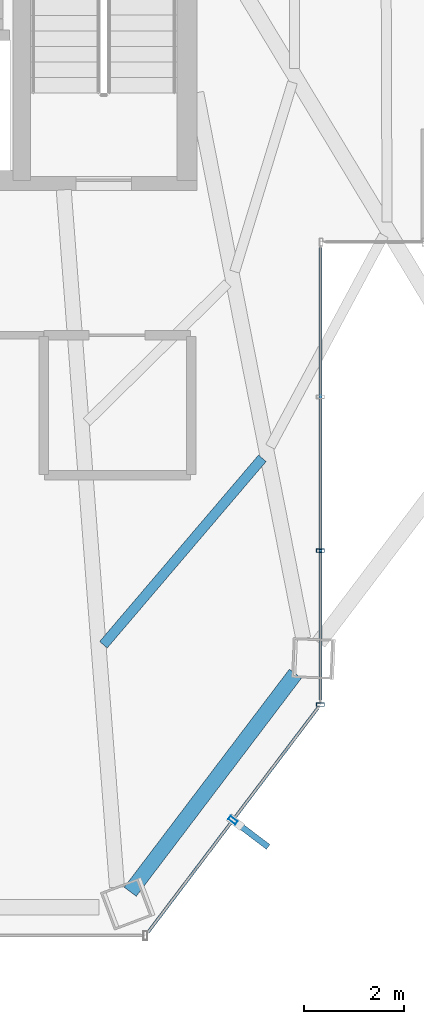
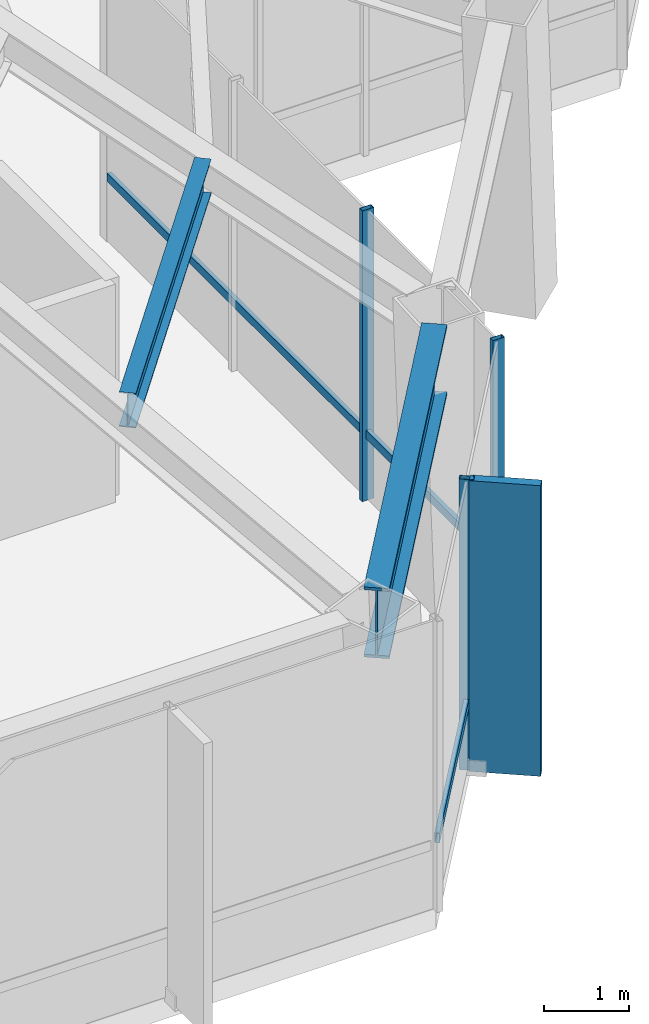
# One storey, part 15 of 25: 6 members, 2 beams, 2 elements without a shape of their own.
"""IFC4 building model written with IfcOpenShell, lengths in metres."""

from ifc_helpers import new_model, si_unit, direction, frame, origin, origin_2d, place, context, subcontext, project, spatial, rectangle, hollow_rectangle, i_section, extrude, material, layer, layer_set, material_profile, profile_set, type_object, element, aggregate, save


model = new_model("IFC4")

# Units and contexts
model_context = context("Model", 3, precision=1e-05, world=origin(), true_north=direction((0.0, 1.0)))
body_context = subcontext(model_context, "Body", "Model", "MODEL_VIEW")
ifc_project = project(units=[si_unit("LENGTHUNIT", "METRE"), si_unit("AREAUNIT", "SQUARE_METRE"), si_unit("VOLUMEUNIT", "CUBIC_METRE"), si_unit("PLANEANGLEUNIT", "RADIAN"), si_unit("MASSUNIT", "GRAM", prefix="KILO")], contexts=[model_context])

# Site, building, storey
site_placement = place(None, origin())
site = spatial("IfcSite", under=ifc_project, at=site_placement, CompositionType="ELEMENT")
building_placement = place(site_placement, origin())
building = spatial("IfcBuilding", under=site, at=building_placement, Name="Zarrinselat Tower", CompositionType="ELEMENT")
storey_placement = place(building_placement, frame((0.0, 0.0, 119.0)))
storey = spatial("IfcBuildingStorey", under=building, at=storey_placement, Name="L28", CompositionType="ELEMENT", Elevation=119.0)

# Beams
ifc_material_1 = material(Name="Steel S460M", Category="steel")
ifc_material_profile_1 = material_profile(ifc_material_1, i_section(OverallWidth=0.302001953125, OverallDepth=1.008056640625, WebThickness=0.02099609375, FlangeThickness=0.0400390625, at=origin_2d()), Name="HEM 1000")
ifc_profile_set_1 = profile_set([ifc_material_profile_1], Name="Steel S460M")
beam_type_1 = type_object("IfcBeamType", Name="BM-HEM1000", PredefinedType="BEAM", material=ifc_profile_set_1)
beam_1_placement = place(storey_placement, frame((47.129150390625, 19.025634765625, 3.676025390625), z_axis=(0.603856828579, 0.797092799226, 0.0), x_axis=(-0.797092799226, 0.603856828579, 0.0)))
element("IfcBeam", 1, at=beam_1_placement, inside=storey, type_object=beam_type_1, Name="L28 Perimeter Spandrel Girder SP11", PredefinedType="BEAM", context=body_context, shape_type="SweptSolid", body=[
    extrude(i_section(OverallWidth=0.302001953125, OverallDepth=1.008056640625, WebThickness=0.02099609375, FlangeThickness=0.0400390625, at=origin_2d()), origin(), (0.0, 0.0, 1.0), 5.469482421875),
])
ifc_material_2 = material(Name="Steel S355J2", Category="steel")
ifc_material_profile_2 = material_profile(ifc_material_2, i_section(OverallWidth=0.199951171875, OverallDepth=0.5, WebThickness=0.01025390625, FlangeThickness=0.01611328125, at=origin_2d()), Name="IPE 500")
ifc_profile_set_2 = profile_set([ifc_material_profile_2], Name="Steel S355J2")
beam_type_2 = type_object("IfcBeamType", Name="BM-IPE500", PredefinedType="JOIST", material=ifc_profile_set_2)
beam_2_placement = place(storey_placement, frame((46.59326171875, 23.964111328125, 3.929931640625), z_axis=(0.648679287619, 0.761061877783, 0.0), x_axis=(-0.761061877783, 0.648679287619, 0.0)))
element("IfcBeam", 2, at=beam_2_placement, inside=storey, type_object=beam_type_2, Name="L28 Composite Floor Joist 3-1", PredefinedType="JOIST", context=body_context, shape_type="SweptSolid", body=[
    extrude(i_section(OverallWidth=0.199951171875, OverallDepth=0.5, WebThickness=0.01025390625, FlangeThickness=0.01611328125, at=origin_2d()), origin(), (0.0, 0.0, 1.0), 4.898681640625),
])

# Curtain wall, member
ifc_material_3 = material(Name="Extruded Aluminium Alloy EN AW-6063 T6", Category="aluminium")
ifc_layer_1 = layer(ifc_material_3, 0.195068359375)
ifc_layer_set_1 = layer_set([ifc_layer_1], Name="Extruded Aluminium Alloy EN AW-6063 T6")
curtain_wall_type_1 = type_object("IfcCurtainWallType", Name="CWS-GDN", PredefinedType="NOTDEFINED", material=ifc_layer_set_1)
curtain_wall_1_placement = place(storey_placement, origin())
curtain_wall_1 = element("IfcCurtainWall", 3, at=curtain_wall_1_placement, inside=storey, type_object=curtain_wall_type_1, Name="L28 Unitised Curtain Wall CW-L28-E25", PredefinedType="NOTDEFINED")
ifc_material_4 = material(Name="Extruded Aluminium Alloy EN AW-6063 T6", Category="aluminium")
ifc_material_profile_3 = material_profile(ifc_material_4, hollow_rectangle(XDim=0.080078125, YDim=0.179931640625, WallThickness=0.0048828125, at=origin_2d()), Name="RHS 180x80x5")
ifc_profile_set_3 = profile_set([ifc_material_profile_3], Name="Extruded Aluminium Alloy EN AW-6063 T6")
member_type_1 = type_object("IfcMemberType", Name="MEM-CW-MUL", PredefinedType="MULLION", material=ifc_profile_set_3)
member_1_placement = place(storey_placement, frame((49.181884765625, 20.45654296875, 0.0), z_axis=(0.0, 0.0, 1.0), x_axis=(-0.60386042105, -0.79709007765, 0.0)))
member_1 = element("IfcMember", 4, at=member_1_placement, type_object=member_type_1, Name="CW-L28-E25 Mullion 1", PredefinedType="MULLION", context=body_context, shape_type="SweptSolid", body=[
    extrude(hollow_rectangle(XDim=0.080078125, YDim=0.179931640625, WallThickness=0.0048828125, at=origin_2d()), origin(), (0.0, 0.0, 1.0), 4.179931640625),
])

# Curtain wall, members
ifc_material_5 = material(Name="Extruded Aluminium Alloy EN AW-6063 T6", Category="aluminium")
ifc_layer_2 = layer(ifc_material_5, 0.18994140625)
ifc_layer_set_2 = layer_set([ifc_layer_2], Name="Extruded Aluminium Alloy EN AW-6063 T6")
curtain_wall_type_2 = type_object("IfcCurtainWallType", Name="CWS-SG", PredefinedType="NOTDEFINED", material=ifc_layer_set_2)
curtain_wall_2_placement = place(storey_placement, origin())
curtain_wall_2 = element("IfcCurtainWall", 5, at=curtain_wall_2_placement, inside=storey, type_object=curtain_wall_type_2, Name="L28 Unitised Curtain Wall CW-L28-E24", PredefinedType="NOTDEFINED")
ifc_material_6 = material(Name="Extruded Aluminium Alloy EN AW-6063 T6", Category="aluminium")
ifc_material_profile_4 = material_profile(ifc_material_6, hollow_rectangle(XDim=0.070068359375, YDim=0.159912109375, WallThickness=0.00390625, at=origin_2d()), Name="RHS 160x70x4")
ifc_profile_set_4 = profile_set([ifc_material_profile_4], Name="Extruded Aluminium Alloy EN AW-6063 T6")
member_type_2 = type_object("IfcMemberType", Name="MEM-CW-MUL2", PredefinedType="MULLION", material=ifc_profile_set_4)
member_2_placement = place(storey_placement, frame((50.931396484375, 25.843994140625, 0.0), z_axis=(0.0, 0.0, 1.0), x_axis=(0.0, -1.0, 0.0)))
member_2 = element("IfcMember", 6, at=member_2_placement, type_object=member_type_2, Name="CW-L28-E24 Mullion 2", PredefinedType="MULLION", context=body_context, shape_type="SweptSolid", body=[
    extrude(hollow_rectangle(XDim=0.070068359375, YDim=0.159912109375, WallThickness=0.00390625, at=origin_2d()), origin(), (0.0, 0.0, 1.0), 4.179931640625),
])
member_3_placement = place(storey_placement, frame((50.931396484375, 22.76611328125, 0.0), z_axis=(0.0, 0.0, 1.0), x_axis=(0.0, -1.0, 0.0)))
member_3 = element("IfcMember", 7, at=member_3_placement, type_object=member_type_2, Name="CW-L28-E24 Mullion 3", PredefinedType="MULLION", context=body_context, shape_type="SweptSolid", body=[
    extrude(hollow_rectangle(XDim=0.070068359375, YDim=0.159912109375, WallThickness=0.00390625, at=origin_2d()), origin(), (0.0, 0.0, 1.0), 4.179931640625),
])

# Member
ifc_material_7 = material(Name="Extruded Aluminium Alloy EN AW-6063 T6", Category="aluminium")
ifc_material_profile_5 = material_profile(ifc_material_7, hollow_rectangle(XDim=0.06005859375, YDim=0.139892578125, WallThickness=0.00390625, at=origin_2d()), Name="RHS 140x60x4")
ifc_profile_set_5 = profile_set([ifc_material_profile_5], Name="Extruded Aluminium Alloy EN AW-6063 T6")
member_type_3 = type_object("IfcMemberType", Name="MEM-CW-TRN", PredefinedType="USERDEFINED", material=ifc_profile_set_5)
member_4_placement = place(storey_placement, frame((50.877197265625, 22.6943359375, 0.949951171875), z_axis=(-0.603861036568, -0.797089611345, 0.0), x_axis=(0.797089611345, -0.603861036568, 0.0)))
member_4 = element("IfcMember", 8, at=member_4_placement, type_object=member_type_3, Name="CW-L28-E25 Transom 1", ObjectType="TRANSOM", PredefinedType="USERDEFINED", context=body_context, shape_type="SweptSolid", body=[
    extrude(hollow_rectangle(XDim=0.06005859375, YDim=0.139892578125, WallThickness=0.00390625, at=origin_2d()), origin(), (0.0, 0.0, 1.0), 5.614990234375),
])

ifc_material_8 = material(Name="Extruded Aluminium Alloy EN AW-6063 T6", Category="aluminium")
ifc_material_profile_6 = material_profile(ifc_material_8, hollow_rectangle(XDim=0.06005859375, YDim=0.1201171875, WallThickness=0.00390625, at=origin_2d()), Name="RHS 120x60x4")
ifc_profile_set_6 = profile_set([ifc_material_profile_6], Name="Extruded Aluminium Alloy EN AW-6063 T6")
member_type_4 = type_object("IfcMemberType", Name="MEM-CW-TRN2", PredefinedType="USERDEFINED", material=ifc_profile_set_6)
member_5_placement = place(storey_placement, frame((50.931396484375, 31.909912109375, 0.949951171875), z_axis=(0.0, -1.0, 0.0), x_axis=(1.0, 0.0, 0.0)))
member_5 = element("IfcMember", 9, at=member_5_placement, type_object=member_type_4, Name="CW-L28-E24 Transom 1", ObjectType="TRANSOM", PredefinedType="USERDEFINED", context=body_context, shape_type="SweptSolid", body=[
    extrude(hollow_rectangle(XDim=0.06005859375, YDim=0.1201171875, WallThickness=0.00390625, at=origin_2d()), origin(), (0.0, 0.0, 1.0), 9.053955078125),
])

aggregate(curtain_wall_2, [member_2, member_3, member_5])

ifc_material_9 = material(Name="Honed Cream Travertine Stone", Category="masonry")
ifc_material_profile_7 = material_profile(ifc_material_9, rectangle(XDim=0.1201171875, YDim=0.85009765625, at=origin_2d()), Name="FIN 850x120")
ifc_profile_set_7 = profile_set([ifc_material_profile_7], Name="Honed Cream Travertine Stone")
member_type_5 = type_object("IfcMemberType", Name="MEM-STONE-FIN", PredefinedType="USERDEFINED", material=ifc_profile_set_7)
member_6_placement = place(storey_placement, frame((49.548583984375, 20.1787109375, 0.0), z_axis=(0.0, 0.0, 1.0), x_axis=(-0.60386042105, -0.79709007765, 0.0)))
member_6 = element("IfcMember", 10, at=member_6_placement, type_object=member_type_5, Name="L28 Stone Shading Fin CW-L28-E25-01", ObjectType="FIN", PredefinedType="USERDEFINED", context=body_context, shape_type="SweptSolid", body=[
    extrude(rectangle(XDim=0.1201171875, YDim=0.85009765625, at=origin_2d()), origin(), (0.0, 0.0, 1.0), 4.179931640625),
])

aggregate(curtain_wall_1, [member_1, member_6, member_4])

save(model, "model.ifc")
